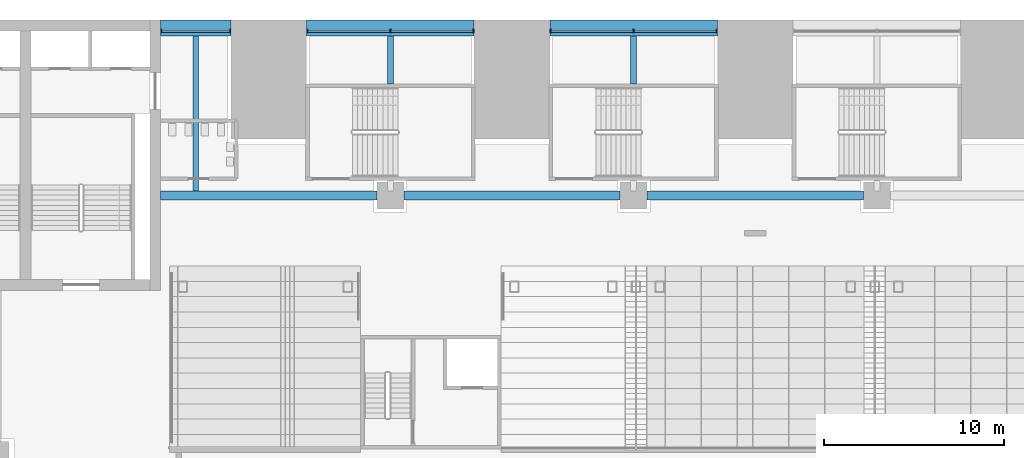
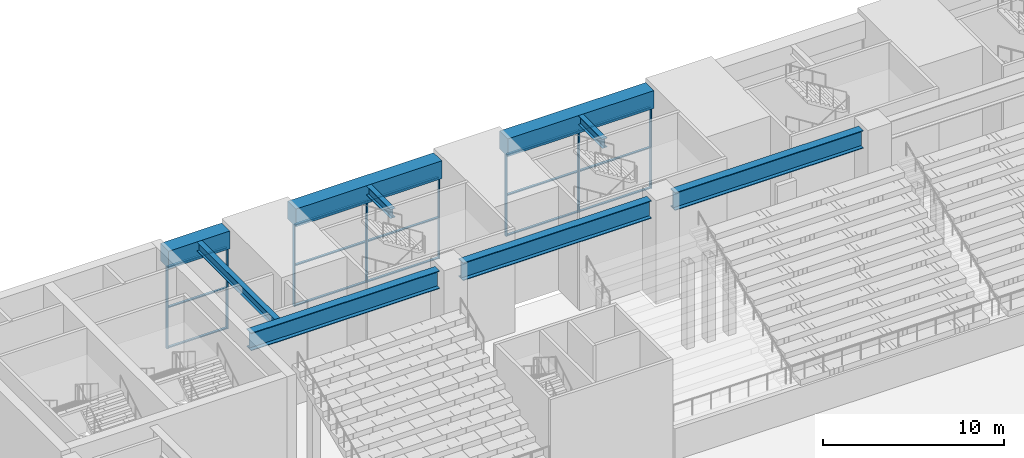
# One storey, part 10 of 62: 23 members, 9 beams, 3 elements without a shape of their own.
"""IFC4 building model written with IfcOpenShell, lengths in metres."""

from ifc_helpers import new_model, si_unit, direction, frame, origin, origin_2d, place, context, subcontext, project, spatial, rectangle, i_section, extrude, material, layer, layer_set, material_profile, profile_set, type_object, element, aggregate, save


model = new_model("IFC4")

# Units and contexts
model_context = context("Model", 3, precision=1e-05, world=origin(), true_north=direction((0.0, 1.0)))
body_context = subcontext(model_context, "Body", "Model", "MODEL_VIEW")
ifc_project = project(units=[si_unit("LENGTHUNIT", "METRE"), si_unit("AREAUNIT", "SQUARE_METRE"), si_unit("VOLUMEUNIT", "CUBIC_METRE"), si_unit("PLANEANGLEUNIT", "RADIAN"), si_unit("MASSUNIT", "GRAM", prefix="KILO")], contexts=[model_context])

# Site, building, storey
site_placement = place(None, origin())
site = spatial("IfcSite", under=ifc_project, at=site_placement, CompositionType="ELEMENT")
building_placement = place(site_placement, origin())
building = spatial("IfcBuilding", under=site, at=building_placement, Name="Corbelhall Arena Tower", CompositionType="ELEMENT")
storey_placement = place(building_placement, frame((0.0, 0.0, 12.0)))
storey = spatial("IfcBuildingStorey", under=building, at=storey_placement, Name="L01", CompositionType="ELEMENT", Elevation=12.0)

# Curtain wall, members
ifc_material_1 = material(Name="Aluminium black anodised", Category="aluminium")
ifc_layer = layer(ifc_material_1, 0.239990234375)
ifc_layer_set = layer_set([ifc_layer], Name="EV-CW4 Arena concourse glazing")
curtain_wall_type = type_object("IfcCurtainWallType", Name="EV-CW4 Arena concourse glazing", PredefinedType="NOTDEFINED", material=ifc_layer_set)
curtain_wall_1_placement = place(storey_placement, origin())
curtain_wall_1 = element("IfcCurtainWall", 1, at=curtain_wall_1_placement, inside=storey, type_object=curtain_wall_type, Name="Curtain wall CW4", PredefinedType="NOTDEFINED")
ifc_material_profile_1 = material_profile(ifc_material_1, rectangle(XDim=0.199951171875, YDim=0.074951171875, at=origin_2d()))
ifc_profile_set_1 = profile_set([ifc_material_profile_1], Name="Aluminium black anodised")
member_type_1 = type_object("IfcMemberType", Name="EV-CW4-MULLION", PredefinedType="MULLION", material=ifc_profile_set_1)
member_1_placement = place(storey_placement, frame((-2.137451171875, 38.3798828125, 0.0), z_axis=(0.0, 0.0, 1.0), x_axis=(0.0, -1.0, 0.0)))
member_1 = element("IfcMember", 2, at=member_1_placement, type_object=member_type_1, Name="CW4 mullion 1", PredefinedType="MULLION", context=body_context, shape_type="SweptSolid", body=[
    extrude(rectangle(XDim=0.199951171875, YDim=0.074951171875, at=origin_2d()), origin(), (0.0, 0.0, 1.0), 5.5),
])
member_2_placement = place(storey_placement, frame((-6.75, 38.3798828125, 0.0), z_axis=(0.0, 0.0, 1.0), x_axis=(0.0, -1.0, 0.0)))
member_2 = element("IfcMember", 3, at=member_2_placement, type_object=member_type_1, Name="CW4 mullion 2", PredefinedType="MULLION", context=body_context, shape_type="SweptSolid", body=[
    extrude(rectangle(XDim=0.199951171875, YDim=0.074951171875, at=origin_2d()), origin(), (0.0, 0.0, 1.0), 5.5),
])
member_3_placement = place(storey_placement, frame((-11.362548828125, 38.3798828125, 0.0), z_axis=(0.0, 0.0, 1.0), x_axis=(0.0, -1.0, 0.0)))
member_3 = element("IfcMember", 4, at=member_3_placement, type_object=member_type_1, Name="CW4 mullion 3", PredefinedType="MULLION", context=body_context, shape_type="SweptSolid", body=[
    extrude(rectangle(XDim=0.199951171875, YDim=0.074951171875, at=origin_2d()), origin(), (0.0, 0.0, 1.0), 5.5),
])

curtain_wall_2_placement = place(storey_placement, origin())
curtain_wall_2 = element("IfcCurtainWall", 5, at=curtain_wall_2_placement, inside=storey, type_object=curtain_wall_type, Name="Curtain wall CW4", PredefinedType="NOTDEFINED")
member_4_placement = place(storey_placement, frame((-15.637451171875, 38.3798828125, 0.0), z_axis=(0.0, 0.0, 1.0), x_axis=(0.0, -1.0, 0.0)))
member_4 = element("IfcMember", 6, at=member_4_placement, type_object=member_type_1, Name="CW4 mullion 1", PredefinedType="MULLION", context=body_context, shape_type="SweptSolid", body=[
    extrude(rectangle(XDim=0.199951171875, YDim=0.074951171875, at=origin_2d()), origin(), (0.0, 0.0, 1.0), 5.5),
])
member_5_placement = place(storey_placement, frame((-20.25, 38.3798828125, 0.0), z_axis=(0.0, 0.0, 1.0), x_axis=(0.0, -1.0, 0.0)))
member_5 = element("IfcMember", 7, at=member_5_placement, type_object=member_type_1, Name="CW4 mullion 2", PredefinedType="MULLION", context=body_context, shape_type="SweptSolid", body=[
    extrude(rectangle(XDim=0.199951171875, YDim=0.074951171875, at=origin_2d()), origin(), (0.0, 0.0, 1.0), 5.5),
])
member_6_placement = place(storey_placement, frame((-24.862548828125, 38.3798828125, 0.0), z_axis=(0.0, 0.0, 1.0), x_axis=(0.0, -1.0, 0.0)))
member_6 = element("IfcMember", 8, at=member_6_placement, type_object=member_type_1, Name="CW4 mullion 3", PredefinedType="MULLION", context=body_context, shape_type="SweptSolid", body=[
    extrude(rectangle(XDim=0.199951171875, YDim=0.074951171875, at=origin_2d()), origin(), (0.0, 0.0, 1.0), 5.5),
])

curtain_wall_3_placement = place(storey_placement, origin())
curtain_wall_3 = element("IfcCurtainWall", 9, at=curtain_wall_3_placement, inside=storey, type_object=curtain_wall_type, Name="Curtain wall CW4A", PredefinedType="NOTDEFINED")
member_7_placement = place(storey_placement, frame((-29.137451171875, 38.3798828125, 0.0), z_axis=(0.0, 0.0, 1.0), x_axis=(0.0, -1.0, 0.0)))
member_7 = element("IfcMember", 10, at=member_7_placement, type_object=member_type_1, Name="CW4A mullion 1", PredefinedType="MULLION", context=body_context, shape_type="SweptSolid", body=[
    extrude(rectangle(XDim=0.199951171875, YDim=0.074951171875, at=origin_2d()), origin(), (0.0, 0.0, 1.0), 5.5),
])
member_8_placement = place(storey_placement, frame((-32.96240234375, 38.3798828125, 0.0), z_axis=(0.0, 0.0, 1.0), x_axis=(0.0, -1.0, 0.0)))
member_8 = element("IfcMember", 11, at=member_8_placement, type_object=member_type_1, Name="CW4A mullion 2", PredefinedType="MULLION", context=body_context, shape_type="SweptSolid", body=[
    extrude(rectangle(XDim=0.199951171875, YDim=0.074951171875, at=origin_2d()), origin(), (0.0, 0.0, 1.0), 5.5),
])

# Member
ifc_material_profile_2 = material_profile(ifc_material_1, rectangle(XDim=0.14990234375, YDim=0.074951171875, at=origin_2d()))
ifc_profile_set_2 = profile_set([ifc_material_profile_2], Name="Aluminium black anodised")
member_type_2 = type_object("IfcMemberType", Name="EV-CW4-TRANSOM", PredefinedType="USERDEFINED", material=ifc_profile_set_2)
member_9_placement = place(storey_placement, frame((-2.175048828125, 38.3798828125, 0.03759765625), z_axis=(-1.0, 0.0, 0.0), x_axis=(0.0, -1.0, 0.0)))
member_9 = element("IfcMember", 12, at=member_9_placement, type_object=member_type_2, Name="CW4 transom 1.1", ObjectType="transom", PredefinedType="USERDEFINED", context=body_context, shape_type="SweptSolid", body=[
    extrude(rectangle(XDim=0.14990234375, YDim=0.074951171875, at=origin_2d()), origin(), (0.0, 0.0, 1.0), 4.537353515625),
])

member_10_placement = place(storey_placement, frame((-2.175048828125, 38.3798828125, 2.75), z_axis=(-1.0, 0.0, 0.0), x_axis=(0.0, -1.0, 0.0)))
member_10 = element("IfcMember", 13, at=member_10_placement, type_object=member_type_2, Name="CW4 transom 1.2", ObjectType="transom", PredefinedType="USERDEFINED", context=body_context, shape_type="SweptSolid", body=[
    extrude(rectangle(XDim=0.14990234375, YDim=0.074951171875, at=origin_2d()), origin(), (0.0, 0.0, 1.0), 4.537353515625),
])

member_11_placement = place(storey_placement, frame((-2.175048828125, 38.3798828125, 5.46240234375), z_axis=(-1.0, 0.0, 0.0), x_axis=(0.0, -1.0, 0.0)))
member_11 = element("IfcMember", 14, at=member_11_placement, type_object=member_type_2, Name="CW4 transom 1.3", ObjectType="transom", PredefinedType="USERDEFINED", context=body_context, shape_type="SweptSolid", body=[
    extrude(rectangle(XDim=0.14990234375, YDim=0.074951171875, at=origin_2d()), origin(), (0.0, 0.0, 1.0), 4.537353515625),
])

member_12_placement = place(storey_placement, frame((-6.78759765625, 38.3798828125, 0.03759765625), z_axis=(-1.0, 0.0, 0.0), x_axis=(0.0, -1.0, 0.0)))
member_12 = element("IfcMember", 15, at=member_12_placement, type_object=member_type_2, Name="CW4 transom 2.1", ObjectType="transom", PredefinedType="USERDEFINED", context=body_context, shape_type="SweptSolid", body=[
    extrude(rectangle(XDim=0.14990234375, YDim=0.074951171875, at=origin_2d()), origin(), (0.0, 0.0, 1.0), 4.537353515625),
])

member_13_placement = place(storey_placement, frame((-6.78759765625, 38.3798828125, 2.75), z_axis=(-1.0, 0.0, 0.0), x_axis=(0.0, -1.0, 0.0)))
member_13 = element("IfcMember", 16, at=member_13_placement, type_object=member_type_2, Name="CW4 transom 2.2", ObjectType="transom", PredefinedType="USERDEFINED", context=body_context, shape_type="SweptSolid", body=[
    extrude(rectangle(XDim=0.14990234375, YDim=0.074951171875, at=origin_2d()), origin(), (0.0, 0.0, 1.0), 4.537353515625),
])

member_14_placement = place(storey_placement, frame((-6.78759765625, 38.3798828125, 5.46240234375), z_axis=(-1.0, 0.0, 0.0), x_axis=(0.0, -1.0, 0.0)))
member_14 = element("IfcMember", 17, at=member_14_placement, type_object=member_type_2, Name="CW4 transom 2.3", ObjectType="transom", PredefinedType="USERDEFINED", context=body_context, shape_type="SweptSolid", body=[
    extrude(rectangle(XDim=0.14990234375, YDim=0.074951171875, at=origin_2d()), origin(), (0.0, 0.0, 1.0), 4.537353515625),
])

aggregate(curtain_wall_1, [member_1, member_2, member_3, member_9, member_10, member_11, member_12, member_13, member_14])

member_15_placement = place(storey_placement, frame((-15.675048828125, 38.3798828125, 0.03759765625), z_axis=(-1.0, 0.0, 0.0), x_axis=(0.0, -1.0, 0.0)))
member_15 = element("IfcMember", 18, at=member_15_placement, type_object=member_type_2, Name="CW4 transom 1.1", ObjectType="transom", PredefinedType="USERDEFINED", context=body_context, shape_type="SweptSolid", body=[
    extrude(rectangle(XDim=0.14990234375, YDim=0.074951171875, at=origin_2d()), origin(), (0.0, 0.0, 1.0), 4.537353515625),
])

member_16_placement = place(storey_placement, frame((-15.675048828125, 38.3798828125, 2.75), z_axis=(-1.0, 0.0, 0.0), x_axis=(0.0, -1.0, 0.0)))
member_16 = element("IfcMember", 19, at=member_16_placement, type_object=member_type_2, Name="CW4 transom 1.2", ObjectType="transom", PredefinedType="USERDEFINED", context=body_context, shape_type="SweptSolid", body=[
    extrude(rectangle(XDim=0.14990234375, YDim=0.074951171875, at=origin_2d()), origin(), (0.0, 0.0, 1.0), 4.537353515625),
])

member_17_placement = place(storey_placement, frame((-15.675048828125, 38.3798828125, 5.46240234375), z_axis=(-1.0, 0.0, 0.0), x_axis=(0.0, -1.0, 0.0)))
member_17 = element("IfcMember", 20, at=member_17_placement, type_object=member_type_2, Name="CW4 transom 1.3", ObjectType="transom", PredefinedType="USERDEFINED", context=body_context, shape_type="SweptSolid", body=[
    extrude(rectangle(XDim=0.14990234375, YDim=0.074951171875, at=origin_2d()), origin(), (0.0, 0.0, 1.0), 4.537353515625),
])

member_18_placement = place(storey_placement, frame((-20.28759765625, 38.3798828125, 0.03759765625), z_axis=(-1.0, 0.0, 0.0), x_axis=(0.0, -1.0, 0.0)))
member_18 = element("IfcMember", 21, at=member_18_placement, type_object=member_type_2, Name="CW4 transom 2.1", ObjectType="transom", PredefinedType="USERDEFINED", context=body_context, shape_type="SweptSolid", body=[
    extrude(rectangle(XDim=0.14990234375, YDim=0.074951171875, at=origin_2d()), origin(), (0.0, 0.0, 1.0), 4.537353515625),
])

member_19_placement = place(storey_placement, frame((-20.28759765625, 38.3798828125, 2.75), z_axis=(-1.0, 0.0, 0.0), x_axis=(0.0, -1.0, 0.0)))
member_19 = element("IfcMember", 22, at=member_19_placement, type_object=member_type_2, Name="CW4 transom 2.2", ObjectType="transom", PredefinedType="USERDEFINED", context=body_context, shape_type="SweptSolid", body=[
    extrude(rectangle(XDim=0.14990234375, YDim=0.074951171875, at=origin_2d()), origin(), (0.0, 0.0, 1.0), 4.537353515625),
])

member_20_placement = place(storey_placement, frame((-20.28759765625, 38.3798828125, 5.46240234375), z_axis=(-1.0, 0.0, 0.0), x_axis=(0.0, -1.0, 0.0)))
member_20 = element("IfcMember", 23, at=member_20_placement, type_object=member_type_2, Name="CW4 transom 2.3", ObjectType="transom", PredefinedType="USERDEFINED", context=body_context, shape_type="SweptSolid", body=[
    extrude(rectangle(XDim=0.14990234375, YDim=0.074951171875, at=origin_2d()), origin(), (0.0, 0.0, 1.0), 4.537353515625),
])

aggregate(curtain_wall_2, [member_4, member_5, member_6, member_15, member_16, member_17, member_18, member_19, member_20])

member_21_placement = place(storey_placement, frame((-29.175048828125, 38.3798828125, 0.03759765625), z_axis=(-1.0, 0.0, 0.0), x_axis=(0.0, -1.0, 0.0)))
member_21 = element("IfcMember", 24, at=member_21_placement, type_object=member_type_2, Name="CW4A transom 1.1", ObjectType="transom", PredefinedType="USERDEFINED", context=body_context, shape_type="SweptSolid", body=[
    extrude(rectangle(XDim=0.14990234375, YDim=0.074951171875, at=origin_2d()), origin(), (0.0, 0.0, 1.0), 3.75),
])

member_22_placement = place(storey_placement, frame((-29.175048828125, 38.3798828125, 2.75), z_axis=(-1.0, 0.0, 0.0), x_axis=(0.0, -1.0, 0.0)))
member_22 = element("IfcMember", 25, at=member_22_placement, type_object=member_type_2, Name="CW4A transom 1.2", ObjectType="transom", PredefinedType="USERDEFINED", context=body_context, shape_type="SweptSolid", body=[
    extrude(rectangle(XDim=0.14990234375, YDim=0.074951171875, at=origin_2d()), origin(), (0.0, 0.0, 1.0), 3.75),
])

member_23_placement = place(storey_placement, frame((-29.175048828125, 38.3798828125, 5.46240234375), z_axis=(-1.0, 0.0, 0.0), x_axis=(0.0, -1.0, 0.0)))
member_23 = element("IfcMember", 26, at=member_23_placement, type_object=member_type_2, Name="CW4A transom 1.3", ObjectType="transom", PredefinedType="USERDEFINED", context=body_context, shape_type="SweptSolid", body=[
    extrude(rectangle(XDim=0.14990234375, YDim=0.074951171875, at=origin_2d()), origin(), (0.0, 0.0, 1.0), 3.75),
])

aggregate(curtain_wall_3, [member_7, member_8, member_21, member_22, member_23])

# Beams
ifc_material_2 = material(Name="Steel ASTM A992 Gr50", Category="steel")
ifc_material_profile_3 = material_profile(ifc_material_2, i_section(OverallWidth=0.323974609375, OverallDepth=0.611083984375, WebThickness=0.0126953125, FlangeThickness=0.01904296875, at=origin_2d()))
ifc_profile_set_3 = profile_set([ifc_material_profile_3], Name="Steel ASTM A992 Gr50")
beam_type_1 = type_object("IfcBeamType", Name="PO-BEAM-W24X104", PredefinedType="BEAM", material=ifc_profile_set_3)
beam_1_placement = place(storey_placement, frame((-31.050048828125, 29.5, 6.39453125), z_axis=(0.0, 1.0, 0.0), x_axis=(-1.0, 0.0, 0.0)))
element("IfcBeam", 27, at=beam_1_placement, inside=storey, type_object=beam_type_1, Name="CONCOURSE BEAM", PredefinedType="BEAM", context=body_context, shape_type="SweptSolid", body=[
    extrude(i_section(OverallWidth=0.323974609375, OverallDepth=0.611083984375, WebThickness=0.0126953125, FlangeThickness=0.01904296875, at=origin_2d()), origin(), (0.0, 0.0, 1.0), 8.60009765625),
])
for number, where, z_axis, x_axis, name in (
    (28, (-20.25, 35.449951171875, 6.39453125), (0.0, 1.0, 0.0), (-1.0, 0.0, 0.0), "CONCOURSE BEAM"),
    (29, (-6.75, 35.449951171875, 6.39453125), (0.0, 1.0, 0.0), (-1.0, 0.0, 0.0), "CONCOURSE BEAM"),
):
    element("IfcBeam", number, at=place(storey_placement, frame(where, z_axis=z_axis, x_axis=x_axis)), inside=storey, type_object=beam_type_1, Name=name, PredefinedType="BEAM", context=body_context, shape_type="SweptSolid", body=[
        extrude(i_section(OverallWidth=0.323974609375, OverallDepth=0.611083984375, WebThickness=0.0126953125, FlangeThickness=0.01904296875, at=origin_2d()), origin(), (0.0, 0.0, 1.0), 2.650146484375),
    ])
ifc_material_3 = material(Name="Steel ASTM A572 Gr50", Category="steel")
ifc_material_profile_4 = material_profile(ifc_material_3, i_section(OverallWidth=0.5, OverallDepth=1.199951171875, WebThickness=0.02490234375, FlangeThickness=0.044921875, at=origin_2d()))
ifc_profile_set_4 = profile_set([ifc_material_profile_4], Name="Steel ASTM A572 Gr50")
beam_type_2 = type_object("IfcBeamType", Name="PO-GIRDER-PG1200X500X25X45", PredefinedType="BEAM", material=ifc_profile_set_4)
for number, where, z_axis, x_axis, name in (
    (30, (-33.0, 29.25, 6.10009765625), (1.0, 0.0, 0.0), (0.0, 1.0, 0.0), "RING GIRDER"),
    (31, (-19.5, 29.25, 6.10009765625), (1.0, 0.0, 0.0), (0.0, 1.0, 0.0), "RING GIRDER"),
    (32, (-6.0, 29.25, 6.10009765625), (1.0, 0.0, 0.0), (0.0, 1.0, 0.0), "RING GIRDER"),
):
    element("IfcBeam", number, at=place(storey_placement, frame(where, z_axis=z_axis, x_axis=x_axis)), inside=storey, type_object=beam_type_2, Name=name, PredefinedType="BEAM", context=body_context, shape_type="SweptSolid", body=[
        extrude(i_section(OverallWidth=0.5, OverallDepth=1.199951171875, WebThickness=0.02490234375, FlangeThickness=0.044921875, at=origin_2d()), origin(), (0.0, 0.0, 1.0), 12.0),
    ])
ifc_material_4 = material(Name="Concrete C80/95", Category="concrete")
ifc_material_profile_5 = material_profile(ifc_material_4, rectangle(XDim=0.89990234375, YDim=1.199951171875, at=origin_2d()))
ifc_profile_set_5 = profile_set([ifc_material_profile_5], Name="Concrete C80/95")
beam_type_3 = type_object("IfcBeamType", Name="PO-RING-BEAM", PredefinedType="BEAM", material=ifc_profile_set_5)
beam_2_placement = place(storey_placement, frame((-33.0, 38.550048828125, 6.10009765625), z_axis=(1.0, 0.0, 0.0), x_axis=(0.0, 1.0, 0.0)))
element("IfcBeam", 33, at=beam_2_placement, inside=storey, type_object=beam_type_3, Name="RING GIRDER L02 N1", PredefinedType="BEAM", context=body_context, shape_type="SweptSolid", body=[
    extrude(rectangle(XDim=0.89990234375, YDim=1.199951171875, at=origin_2d()), origin(), (0.0, 0.0, 1.0), 3.89990234375),
])
for number, where, z_axis, x_axis, name in (
    (34, (-24.89990234375, 38.550048828125, 6.10009765625), (1.0, 0.0, 0.0), (0.0, 1.0, 0.0), "RING GIRDER L02 N2"),
    (35, (-11.39990234375, 38.550048828125, 6.10009765625), (1.0, 0.0, 0.0), (0.0, 1.0, 0.0), "RING GIRDER L02 N3"),
):
    element("IfcBeam", number, at=place(storey_placement, frame(where, z_axis=z_axis, x_axis=x_axis)), inside=storey, type_object=beam_type_3, Name=name, PredefinedType="BEAM", context=body_context, shape_type="SweptSolid", body=[
        extrude(rectangle(XDim=0.89990234375, YDim=1.199951171875, at=origin_2d()), origin(), (0.0, 0.0, 1.0), 9.2998046875),
    ])

save(model, "model.ifc")
